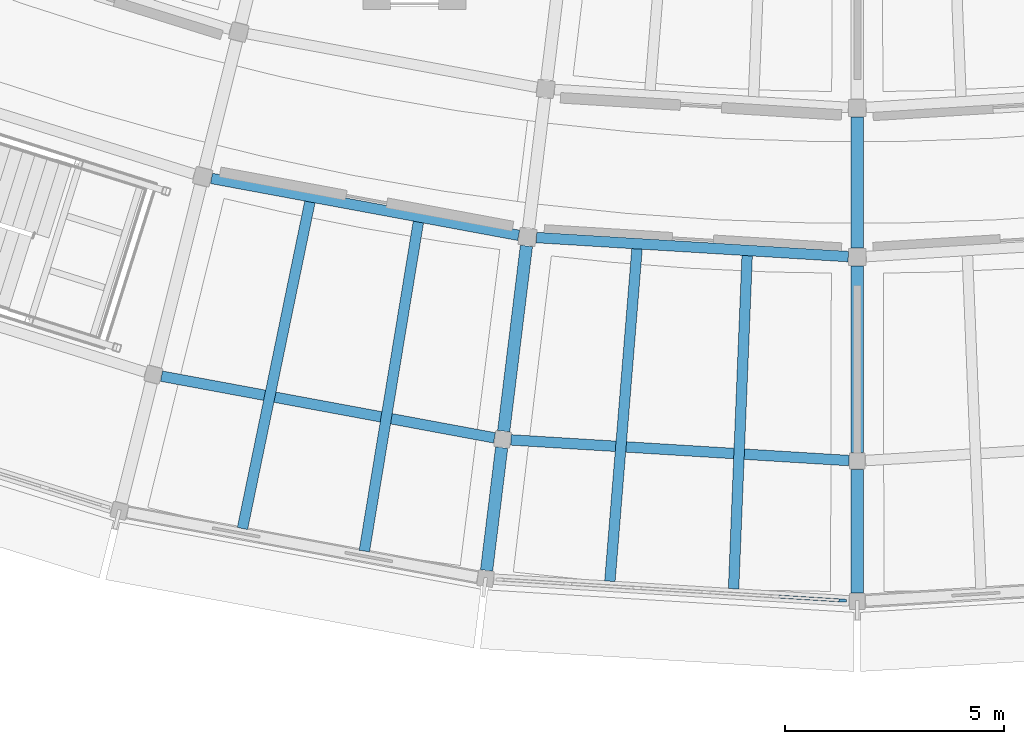
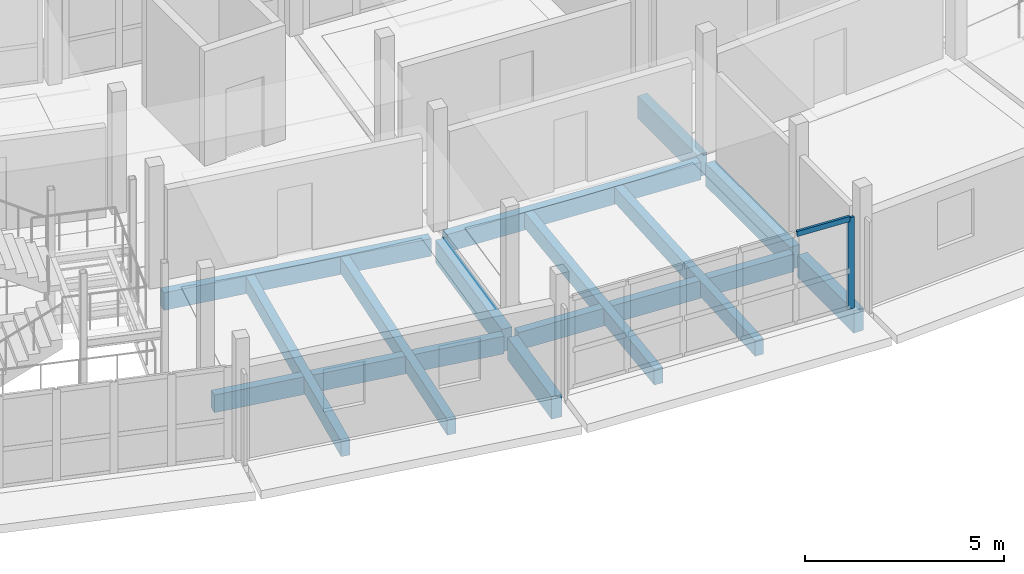
# One storey, part 9 of 36: 13 beams, 2 members, 1 element without a shape of its own.
"""IFC4 building model written with IfcOpenShell, lengths in metres."""

from ifc_helpers import new_model, si_unit, direction, frame, origin, origin_2d, place, context, subcontext, project, spatial, rectangle, extrude, material, layer, layer_set, material_profile, profile_set, type_object, element, aggregate, save


model = new_model("IFC4")

# Units and contexts
model_context = context("Model", 3, precision=1e-05, world=origin(), true_north=direction((0.0, 1.0)))
body_context = subcontext(model_context, "Body", "Model", "MODEL_VIEW")
ifc_project = project(units=[si_unit("LENGTHUNIT", "METRE"), si_unit("AREAUNIT", "SQUARE_METRE"), si_unit("VOLUMEUNIT", "CUBIC_METRE"), si_unit("PLANEANGLEUNIT", "RADIAN"), si_unit("MASSUNIT", "GRAM", prefix="KILO")], contexts=[model_context])

# Site, building, storey
site_placement = place(None, origin())
site = spatial("IfcSite", under=ifc_project, at=site_placement, CompositionType="ELEMENT")
building_placement = place(site_placement, origin())
building = spatial("IfcBuilding", under=site, at=building_placement, Name="Caldaven Crescent School", CompositionType="ELEMENT")
storey_placement = place(building_placement, frame((0.0, 0.0, 11.89990234375)))
storey = spatial("IfcBuildingStorey", under=building, at=storey_placement, Name="L03", CompositionType="ELEMENT", Elevation=11.89990234375)

# Beams
ifc_material_1 = material(Name="Glulam MLE24h (GL28h)", Category="wood")
ifc_material_profile_1 = material_profile(ifc_material_1, rectangle(XDim=0.239990234375, YDim=0.5400390625, at=origin_2d()), Name="MLE 240x540")
ifc_profile_set_1 = profile_set([ifc_material_profile_1], Name="Glulam MLE24h (GL28h)")
beam_type_1 = type_object("IfcBeamType", Name="BM-GL54", PredefinedType="BEAM", material=ifc_profile_set_1)
beam_1_placement = place(storey_placement, frame((73.27490234375, 36.095458984375, -0.52001953125), z_axis=(0.983256085787, -0.182229168257, 0.0), x_axis=(0.182229168257, 0.983256085787, 0.0)))
element("IfcBeam", 1, at=beam_1_placement, inside=storey, type_object=beam_type_1, Name="BMT-V5-L03-1429", PredefinedType="BEAM", context=body_context, shape_type="SweptSolid", body=[
    extrude(rectangle(XDim=0.239990234375, YDim=0.5400390625, at=origin_2d()), origin(), (0.0, 0.0, 1.0), 7.12353515625),
])
beam_2_placement = place(storey_placement, frame((72.13525390625, 31.586181640625, -0.52001953125), z_axis=(0.983256623926, -0.18222626459, 0.0), x_axis=(0.18222626459, 0.983256623926, 0.0)))
element("IfcBeam", 2, at=beam_2_placement, inside=storey, type_object=beam_type_1, Name="BMT-V5-L03-1430", PredefinedType="BEAM", context=body_context, shape_type="SweptSolid", body=[
    extrude(rectangle(XDim=0.239990234375, YDim=0.5400390625, at=origin_2d()), origin(), (0.0, 0.0, 1.0), 7.72119140625),
])
beam_3_placement = place(storey_placement, frame((80.685302734375, 34.747314453125, -0.52001953125), z_axis=(0.998135297493, -0.061040379248, 0.0), x_axis=(0.061040379248, 0.998135297493, 0.0)))
element("IfcBeam", 3, at=beam_3_placement, inside=storey, type_object=beam_type_1, Name="BMT-V5-L03-1436", PredefinedType="BEAM", context=body_context, shape_type="SweptSolid", body=[
    extrude(rectangle(XDim=0.239990234375, YDim=0.5400390625, at=origin_2d()), origin(), (0.0, 0.0, 1.0), 7.123291015625),
])
beam_4_placement = place(storey_placement, frame((80.103515625, 30.133056640625, -0.52001953125), z_axis=(0.998134259729, -0.061057346455, 0.0), x_axis=(0.061057346455, 0.998134259729, 0.0)))
element("IfcBeam", 4, at=beam_4_placement, inside=storey, type_object=beam_type_1, Name="BMT-V5-L03-1437", PredefinedType="BEAM", context=body_context, shape_type="SweptSolid", body=[
    extrude(rectangle(XDim=0.239990234375, YDim=0.5400390625, at=origin_2d()), origin(), (0.0, 0.0, 1.0), 7.72119140625),
])
ifc_material_profile_2 = material_profile(ifc_material_1, rectangle(XDim=0.280029296875, YDim=0.68994140625, at=origin_2d()), Name="MLE 280x690")
ifc_profile_set_2 = profile_set([ifc_material_profile_2], Name="Glulam MLE24h (GL28h)")
beam_type_2 = type_object("IfcBeamType", Name="BM-GL69", PredefinedType="BEAM", material=ifc_profile_set_2)
beam_5_placement = place(storey_placement, frame((80.45556640625, 34.556396484375, -0.594970703125), z_axis=(-0.121873450968, -0.992545647287, 0.0), x_axis=(0.992545647287, -0.121873450968, 0.0)))
element("IfcBeam", 5, at=beam_5_placement, inside=storey, type_object=beam_type_2, Name="BMR-V5-L03-1402", PredefinedType="BEAM", context=body_context, shape_type="SweptSolid", body=[
    extrude(rectangle(XDim=0.280029296875, YDim=0.68994140625, at=origin_2d()), origin(), (0.0, 0.0, 1.0), 4.2548828125),
])
beam_6_placement = place(storey_placement, frame((79.890869140625, 29.9560546875, -0.594970703125), z_axis=(-0.121892797759, -0.992543271527, 0.0), x_axis=(0.992543271527, -0.121892797759, 0.0)))
element("IfcBeam", 6, at=beam_6_placement, inside=storey, type_object=beam_type_2, Name="BMR-V5-L03-1403", PredefinedType="BEAM", context=body_context, shape_type="SweptSolid", body=[
    extrude(rectangle(XDim=0.280029296875, YDim=0.68994140625, at=origin_2d()), origin(), (0.0, 0.0, 1.0), 2.820068359375),
])
beam_7_placement = place(storey_placement, frame((88.0, 37.4951171875, -0.594970703125), z_axis=(0.0, -1.0, 0.0), x_axis=(1.0, 0.0, 0.0)))
element("IfcBeam", 7, at=beam_7_placement, inside=storey, type_object=beam_type_2, Name="BMR-V5-L03-1405", PredefinedType="BEAM", context=body_context, shape_type="SweptSolid", body=[
    extrude(rectangle(XDim=0.280029296875, YDim=0.68994140625, at=origin_2d()), origin(), (0.0, 0.0, 1.0), 2.990234375),
])
beam_8_placement = place(storey_placement, frame((88.0, 34.094970703125, -0.594970703125), z_axis=(0.0, -1.0, 0.0), x_axis=(1.0, 0.0, 0.0)))
element("IfcBeam", 8, at=beam_8_placement, inside=storey, type_object=beam_type_2, Name="BMR-V5-L03-1406", PredefinedType="BEAM", context=body_context, shape_type="SweptSolid", body=[
    extrude(rectangle(XDim=0.280029296875, YDim=0.68994140625, at=origin_2d()), origin(), (0.0, 0.0, 1.0), 4.2548828125),
])
beam_9_placement = place(storey_placement, frame((88.0, 29.4599609375, -0.594970703125), z_axis=(0.0, -1.0, 0.0), x_axis=(1.0, 0.0, 0.0)))
element("IfcBeam", 9, at=beam_9_placement, inside=storey, type_object=beam_type_2, Name="BMR-V5-L03-1407", PredefinedType="BEAM", context=body_context, shape_type="SweptSolid", body=[
    extrude(rectangle(XDim=0.280029296875, YDim=0.68994140625, at=origin_2d()), origin(), (0.0, 0.0, 1.0), 2.820068359375),
])

# Curtain wall, members
ifc_material_2 = material(Name="Anodised aluminium AA 6063-T6 and low-E double glazing", Category="aluminium")
ifc_layer = layer(ifc_material_2, 0.2099609375)
ifc_layer_set = layer_set([ifc_layer], Name="Anodised aluminium AA 6063-T6 and low-E double glazing")
curtain_wall_type = type_object("IfcCurtainWallType", Name="CW-SYS3", PredefinedType="NOTDEFINED", material=ifc_layer_set)
curtain_wall_placement = place(storey_placement, origin())
curtain_wall = element("IfcCurtainWall", 10, at=curtain_wall_placement, inside=storey, type_object=curtain_wall_type, Name="CW-L03-159", PredefinedType="NOTDEFINED")
ifc_material_3 = material(Name="Anodised aluminium AA 6063-T6", Category="aluminium")
ifc_material_profile_3 = material_profile(ifc_material_3, rectangle(XDim=0.06494140625, YDim=0.179931640625, at=origin_2d()), Name="CWM 65x180")
ifc_profile_set_3 = profile_set([ifc_material_profile_3], Name="Anodised aluminium AA 6063-T6")
member_type_1 = type_object("IfcMemberType", Name="CWM-T2", PredefinedType="MULLION", material=ifc_profile_set_3)
member_1_placement = place(storey_placement, frame((87.668212890625, 26.47021484375, 0.0), z_axis=(0.0, 0.0, 1.0), x_axis=(0.061049055851, 0.998134766843, 0.0)))
member_1 = element("IfcMember", 11, at=member_1_placement, type_object=member_type_1, Name="CW3 mullion 6", PredefinedType="MULLION", context=body_context, shape_type="SweptSolid", body=[
    extrude(rectangle(XDim=0.06494140625, YDim=0.179931640625, at=origin_2d()), origin(), (0.0, 0.0, 1.0), 2.800048828125),
])
ifc_material_profile_4 = material_profile(ifc_material_3, rectangle(XDim=0.070068359375, YDim=0.159912109375, at=origin_2d()), Name="CWT 70x160")
ifc_profile_set_4 = profile_set([ifc_material_profile_4], Name="Anodised aluminium AA 6063-T6")
member_type_2 = type_object("IfcMemberType", Name="CWT-T3", PredefinedType="USERDEFINED", material=ifc_profile_set_4)
member_2_placement = place(storey_placement, frame((86.157470703125, 26.562744140625, 2.76513671875), z_axis=(0.998128159669, -0.061156985506, 0.0), x_axis=(0.061156985506, 0.998128159669, 0.0)))
member_2 = element("IfcMember", 12, at=member_2_placement, type_object=member_type_2, Name="CW3 transom 5.3", ObjectType="TRANSOM", PredefinedType="USERDEFINED", context=body_context, shape_type="SweptSolid", body=[
    extrude(rectangle(XDim=0.070068359375, YDim=0.159912109375, at=origin_2d()), origin(), (0.0, 0.0, 1.0), 1.48095703125),
])
aggregate(curtain_wall, [member_1, member_2])

# Beams
ifc_material_profile_5 = material_profile(ifc_material_1, rectangle(XDim=0.239990234375, YDim=0.47998046875, at=origin_2d()), Name="MLE 240x480")
ifc_profile_set_5 = profile_set([ifc_material_profile_5], Name="Glulam MLE24h (GL28h)")
beam_type_3 = type_object("IfcBeamType", Name="JS-GL48", PredefinedType="JOIST", material=ifc_profile_set_5)
for number, where, z_axis, x_axis, name in (
    (13, (75.519287109375, 35.5625, -0.489990234375), (-0.202259614747, -0.979331939764, 0.0), (0.979331939764, -0.202259614747, 0.0), "JSR-V5-L03-1432"),
    (14, (77.992919921875, 35.10400390625, -0.489990234375), (-0.162139819629, -0.986767793805, 0.0), (0.986767793805, -0.162139819629, 0.0), "JSR-V5-L03-1433"),
    (15, (82.977783203125, 34.491943359375, -0.489990234375), (-0.081390637837, -0.996682278398, 0.0), (0.996682278398, -0.081390637837, 0.0), "JSR-V5-L03-1440"),
    (16, (85.48876953125, 34.33837890625, -0.489990234375), (-0.040664012435, -0.99917287698, 0.0), (0.99917287698, -0.040664012435, 0.0), "JSR-V5-L03-1442"),
):
    element("IfcBeam", number, at=place(storey_placement, frame(where, z_axis=z_axis, x_axis=x_axis)), inside=storey, type_object=beam_type_3, Name=name, PredefinedType="JOIST", context=body_context, shape_type="SweptSolid", body=[
        extrude(rectangle(XDim=0.239990234375, YDim=0.47998046875, at=origin_2d()), origin(), (0.0, 0.0, 1.0), 7.60693359375),
    ])

save(model, "model.ifc")
